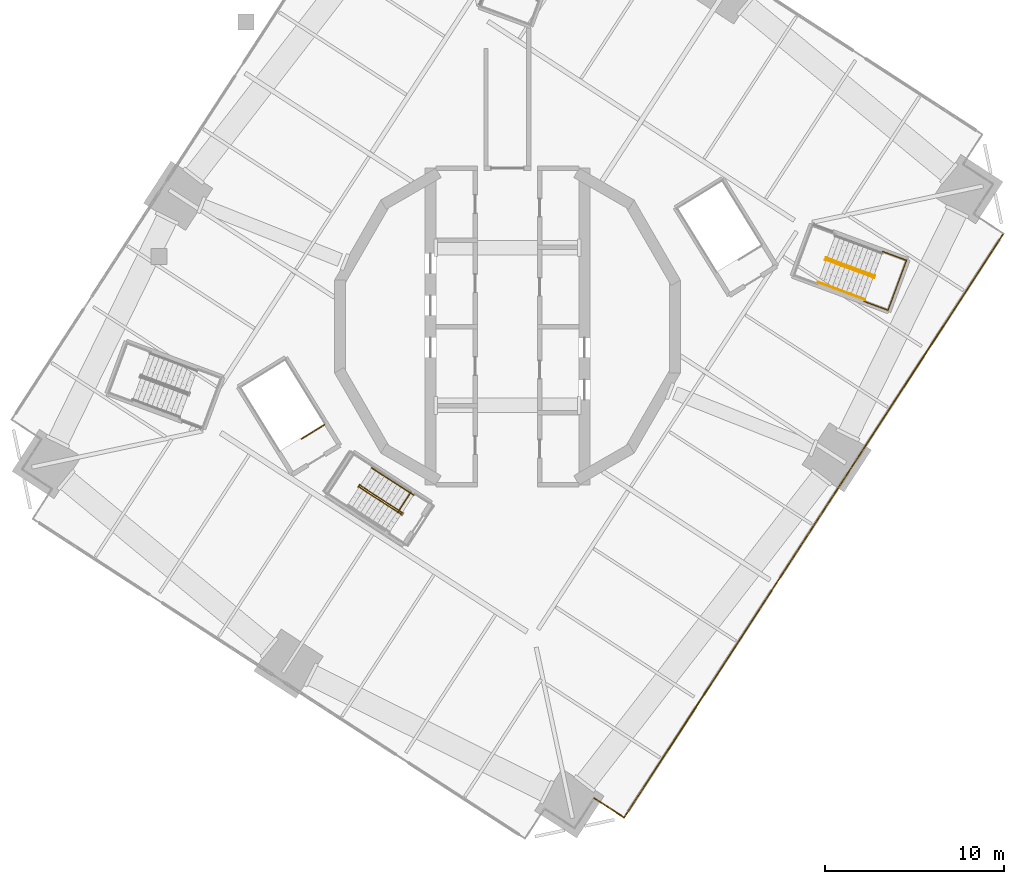
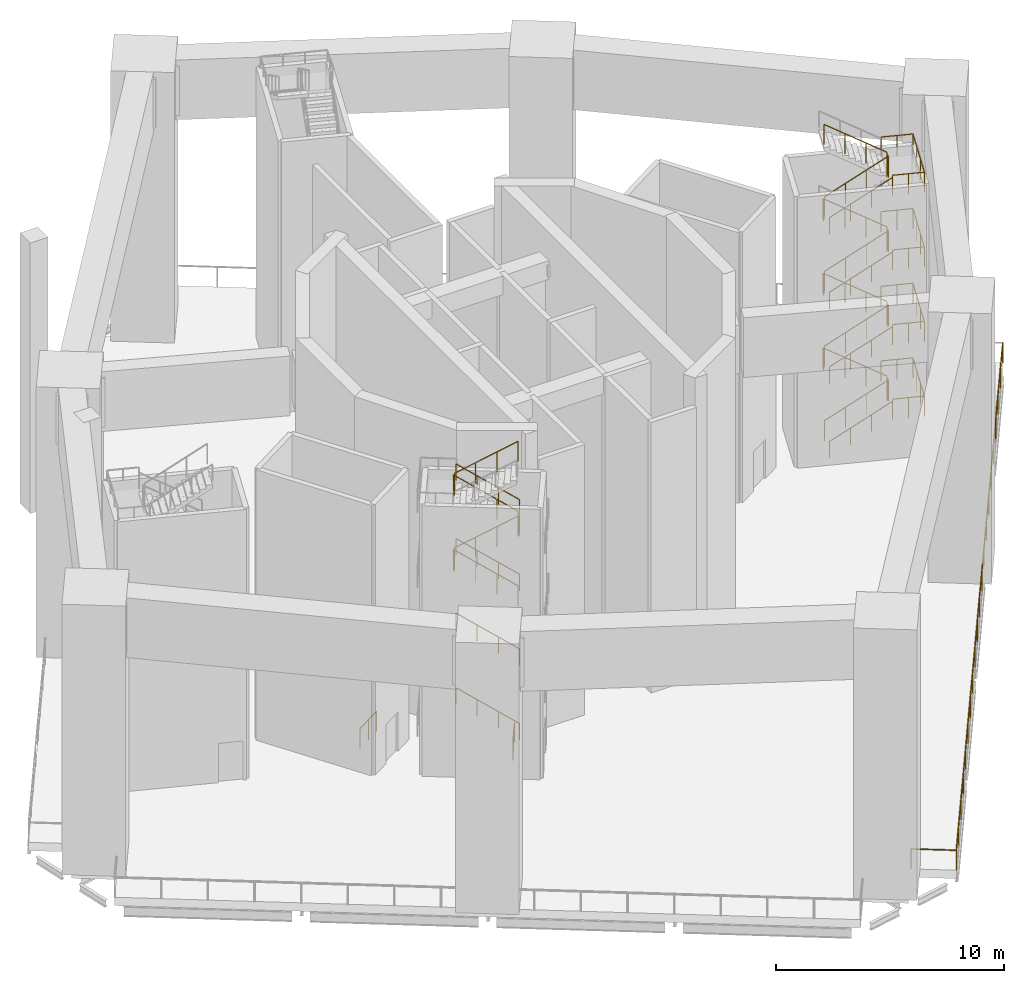
# One storey, part 12 of 16: 29 railings.
"""IFC4 building model written with IfcOpenShell, lengths in metres."""

from ifc_helpers import new_model, si_unit, direction, frame, origin, origin_2d, place, context, subcontext, project, spatial, circle, extrude, material, type_object, element, save


model = new_model("IFC4")

# Units and contexts
model_context = context("Model", 3, precision=1e-05, world=origin(), true_north=direction((0.0, 1.0)))
body_context = subcontext(model_context, "Body", "Model", "MODEL_VIEW")
ifc_project = project(units=[si_unit("LENGTHUNIT", "METRE"), si_unit("AREAUNIT", "SQUARE_METRE"), si_unit("VOLUMEUNIT", "CUBIC_METRE"), si_unit("PLANEANGLEUNIT", "RADIAN"), si_unit("MASSUNIT", "GRAM", prefix="KILO")], contexts=[model_context])

# Site, building, storey
site_placement = place(None, origin())
site = spatial("IfcSite", under=ifc_project, at=site_placement, CompositionType="ELEMENT")
building_placement = place(site_placement, origin())
building = spatial("IfcBuilding", under=site, at=building_placement, Name="Cantera Rosa Tower", CompositionType="ELEMENT")
storey_placement = place(building_placement, frame((0.0, 0.0, 290.10009765625)))
storey = spatial("IfcBuildingStorey", under=building, at=storey_placement, Name="L66", CompositionType="ELEMENT", Elevation=290.10009765625)

# Railings
ifc_material_1 = material(Name="Stainless steel and laminated glass", Category="steel")
railing_type_1 = type_object("IfcRailingType", Name="GUARD 1100", PredefinedType="BALUSTRADE", material=ifc_material_1)
railing_1_placement = place(storey_placement, frame((4.83837890625, -26.33349609375, 0.0)))
element("IfcRailing", 1, at=railing_1_placement, inside=storey, type_object=railing_type_1, Name="PORTAL GUARD L66-17", PredefinedType="BALUSTRADE", context=body_context, shape_type="SweptSolid", body=[
    extrude(circle(Radius=0.030029296875, at=origin_2d()), frame((0.0, 0.0, 1.070068359375), z_axis=(0.838638792855, -0.54468796124, 0.0), x_axis=(0.54468796124, 0.838638792855, 0.0)), (0.0, 0.0, 1.0), 2.0),
    extrude(circle(Radius=0.02490234375, at=origin_2d()), origin(), (0.0, 0.0, 1.0), 1.0400390625),
    extrude(circle(Radius=0.02490234375, at=origin_2d()), frame((1.67724609375, -1.08935546875, 0.0)), (0.0, 0.0, 1.0), 1.0400390625),
])
railing_2_placement = place(storey_placement, frame((6.515625, -27.4228515625, 0.0)))
element("IfcRailing", 2, at=railing_2_placement, inside=storey, type_object=railing_type_1, Name="PORTAL GUARD L66-18", PredefinedType="BALUSTRADE", context=body_context, shape_type="SweptSolid", body=[
    extrude(circle(Radius=0.030029296875, at=origin_2d()), frame((0.0, 0.0, 1.070068359375), z_axis=(0.544637548782, 0.838671533115, 0.0), x_axis=(-0.838671533115, 0.544637548782, 0.0)), (0.0, 0.0, 1.0), 15.56005859375),
    extrude(circle(Radius=0.02490234375, at=origin_2d()), origin(), (0.0, 0.0, 1.0), 1.0400390625),
    extrude(circle(Radius=0.02490234375, at=origin_2d()), frame((1.059326171875, 1.63134765625, 0.0)), (0.0, 0.0, 1.0), 1.0400390625),
    extrude(circle(Radius=0.02490234375, at=origin_2d()), frame((2.11865234375, 3.262451171875, 0.0)), (0.0, 0.0, 1.0), 1.0400390625),
    extrude(circle(Radius=0.02490234375, at=origin_2d()), frame((3.177978515625, 4.8935546875, 0.0)), (0.0, 0.0, 1.0), 1.0400390625),
    extrude(circle(Radius=0.02490234375, at=origin_2d()), frame((4.2373046875, 6.52490234375, 0.0)), (0.0, 0.0, 1.0), 1.0400390625),
    extrude(circle(Radius=0.02490234375, at=origin_2d()), frame((5.296630859375, 8.15625, 0.0)), (0.0, 0.0, 1.0), 1.0400390625),
    extrude(circle(Radius=0.02490234375, at=origin_2d()), frame((6.35595703125, 9.787353515625, 0.0)), (0.0, 0.0, 1.0), 1.0400390625),
    extrude(circle(Radius=0.02490234375, at=origin_2d()), frame((7.415283203125, 11.41845703125, 0.0)), (0.0, 0.0, 1.0), 1.0400390625),
    extrude(circle(Radius=0.02490234375, at=origin_2d()), frame((8.474609375, 13.0498046875, 0.0)), (0.0, 0.0, 1.0), 1.0400390625),
])
railing_3_placement = place(storey_placement, frame((14.990234375, -14.373046875, 0.0)))
element("IfcRailing", 3, at=railing_3_placement, inside=storey, type_object=railing_type_1, Name="PORTAL GUARD L66-19", PredefinedType="BALUSTRADE", context=body_context, shape_type="SweptSolid", body=[
    extrude(circle(Radius=0.030029296875, at=origin_2d()), frame((0.0, 0.0, 1.070068359375), z_axis=(0.544642326705, 0.838668430288, 0.0), x_axis=(-0.838668430288, 0.544642326705, 0.0)), (0.0, 0.0, 1.0), 23.33984375),
    extrude(circle(Radius=0.02490234375, at=origin_2d()), origin(), (0.0, 0.0, 1.0), 1.0400390625),
    extrude(circle(Radius=0.02490234375, at=origin_2d()), frame((1.059326171875, 1.631103515625, 0.0)), (0.0, 0.0, 1.0), 1.0400390625),
    extrude(circle(Radius=0.02490234375, at=origin_2d()), frame((2.11865234375, 3.262451171875, 0.0)), (0.0, 0.0, 1.0), 1.0400390625),
    extrude(circle(Radius=0.02490234375, at=origin_2d()), frame((3.177978515625, 4.8935546875, 0.0)), (0.0, 0.0, 1.0), 1.0400390625),
    extrude(circle(Radius=0.02490234375, at=origin_2d()), frame((4.2373046875, 6.52490234375, 0.0)), (0.0, 0.0, 1.0), 1.0400390625),
    extrude(circle(Radius=0.02490234375, at=origin_2d()), frame((5.296630859375, 8.156005859375, 0.0)), (0.0, 0.0, 1.0), 1.0400390625),
    extrude(circle(Radius=0.02490234375, at=origin_2d()), frame((6.35595703125, 9.787109375, 0.0)), (0.0, 0.0, 1.0), 1.0400390625),
    extrude(circle(Radius=0.02490234375, at=origin_2d()), frame((7.415283203125, 11.41845703125, 0.0)), (0.0, 0.0, 1.0), 1.0400390625),
    extrude(circle(Radius=0.02490234375, at=origin_2d()), frame((8.474609375, 13.049560546875, 0.0)), (0.0, 0.0, 1.0), 1.0400390625),
    extrude(circle(Radius=0.02490234375, at=origin_2d()), frame((9.533935546875, 14.680908203125, 0.0)), (0.0, 0.0, 1.0), 1.0400390625),
    extrude(circle(Radius=0.02490234375, at=origin_2d()), frame((10.59326171875, 16.31201171875, 0.0)), (0.0, 0.0, 1.0), 1.0400390625),
    extrude(circle(Radius=0.02490234375, at=origin_2d()), frame((11.652587890625, 17.943359375, 0.0)), (0.0, 0.0, 1.0), 1.0400390625),
    extrude(circle(Radius=0.02490234375, at=origin_2d()), frame((12.7119140625, 19.574462890625, 0.0)), (0.0, 0.0, 1.0), 1.0400390625),
])
ifc_material_2 = material(Name="Steel S355J2 (EN 10025-2)", Category="steel")
railing_type_2 = type_object("IfcRailingType", Name="STAIR GUARD 1100", PredefinedType="GUARDRAIL", material=ifc_material_2)
railing_4_placement = place(storey_placement, frame((-10.225830078125, -5.486083984375, 0.0)))
element("IfcRailing", 4, at=railing_4_placement, inside=storey, type_object=railing_type_2, Name="L66 ST-52 top well guard 1", PredefinedType="GUARDRAIL", context=body_context, shape_type="SweptSolid", body=[
    extrude(circle(Radius=0.02392578125, at=origin_2d()), frame((0.0, 0.0, 1.076171875), z_axis=(-0.85118298814, -0.524869051004, 0.0), x_axis=(0.524869051004, -0.85118298814, 0.0)), (0.0, 0.0, 1.0), 1.5),
    extrude(circle(Radius=0.02099609375, at=origin_2d()), origin(), (0.0, 0.0, 1.0), 1.052001953125),
    extrude(circle(Radius=0.02099609375, at=origin_2d()), frame((-0.638427734375, -0.3935546875, 0.0)), (0.0, 0.0, 1.0), 1.052001953125),
    extrude(circle(Radius=0.02099609375, at=origin_2d()), frame((-1.27685546875, -0.787353515625, 0.0)), (0.0, 0.0, 1.0), 1.052001953125),
])
railing_5_placement = place(storey_placement, frame((-5.394287109375, -9.25244140625, 0.0)))
element("IfcRailing", 5, at=railing_5_placement, inside=storey, type_object=railing_type_2, Name="L66 ST-53 top well guard 1", PredefinedType="GUARDRAIL", context=body_context, shape_type="SweptSolid", body=[
    extrude(circle(Radius=0.02392578125, at=origin_2d()), frame((0.0, 0.0, 1.076171875), z_axis=(-0.544727693263, -0.838612985943, 0.0), x_axis=(0.838612985943, -0.544727693263, 0.0)), (0.0, 0.0, 1.0), 1.349853515625),
    extrude(circle(Radius=0.02099609375, at=origin_2d()), origin(), (0.0, 0.0, 1.0), 1.052001953125),
    extrude(circle(Radius=0.02099609375, at=origin_2d()), frame((-0.36767578125, -0.56591796875, 0.0)), (0.0, 0.0, 1.0), 1.052001953125),
    extrude(circle(Radius=0.02099609375, at=origin_2d()), frame((-0.7353515625, -1.132080078125, 0.0)), (0.0, 0.0, 1.0), 1.052001953125),
])
railing_6_placement = place(storey_placement, frame((17.802490234375, 3.721923828125, 0.181640625)))
element("IfcRailing", 6, at=railing_6_placement, inside=storey, type_object=railing_type_2, Name="L66 ST-61 stair guard 1", PredefinedType="GUARDRAIL", context=body_context, shape_type="SweptSolid", body=[
    extrude(circle(Radius=0.02392578125, at=origin_2d()), frame((0.0, 0.0, 1.076171875), z_axis=(0.786418468123, -0.291461089162, 0.544606671369), x_axis=(0.347518795507, 0.937673016978, 0.0)), (0.0, 0.0, 1.0), 3.3388671875),
    extrude(circle(Radius=0.02392578125, at=origin_2d()), frame((2.625732421875, -0.97314453125, 2.89453125), z_axis=(0.671593765389, -0.740919573429, 0.0), x_axis=(0.740919573429, 0.671593765389, 0.0)), (0.0, 0.0, 1.0), 0.056396484375),
    extrude(circle(Radius=0.02392578125, at=origin_2d()), frame((2.66357421875, -1.014892578125, 2.89453125), z_axis=(0.346308045122, 0.938120854626, 0.0), x_axis=(-0.938120854626, 0.346308045122, 0.0)), (0.0, 0.0, 1.0), 0.150146484375),
    extrude(circle(Radius=0.02099609375, at=origin_2d()), origin(), (0.0, 0.0, 1.0), 1.052001953125),
    extrude(circle(Radius=0.02099609375, at=origin_2d()), frame((0.875244140625, -0.324462890625, 0.606201171875)), (0.0, 0.0, 1.0), 1.052001953125),
    extrude(circle(Radius=0.02099609375, at=origin_2d()), frame((1.75048828125, -0.648681640625, 1.212158203125)), (0.0, 0.0, 1.0), 1.052001953125),
    extrude(circle(Radius=0.02099609375, at=origin_2d()), frame((2.625732421875, -0.97314453125, 1.818359375)), (0.0, 0.0, 1.0), 1.052001953125),
    extrude(circle(Radius=0.02099609375, at=origin_2d()), frame((2.66357421875, -1.014892578125, 1.818359375)), (0.0, 0.0, 1.0), 1.052001953125),
    extrude(circle(Radius=0.02099609375, at=origin_2d()), frame((2.715576171875, -0.8740234375, 1.818359375)), (0.0, 0.0, 1.0), 1.052001953125),
])
railing_7_placement = place(storey_placement, frame((20.462158203125, 2.8408203125, 2.181640625)))
element("IfcRailing", 7, at=railing_7_placement, inside=storey, type_object=railing_type_2, Name="L66 ST-61 stair guard 2", PredefinedType="GUARDRAIL", context=body_context, shape_type="SweptSolid", body=[
    extrude(circle(Radius=0.02392578125, at=origin_2d()), frame((0.0, 0.0, 1.076171875), z_axis=(-0.78640732652, 0.291410935111, 0.544649597166), x_axis=(-0.347470544015, -0.937690898453, 0.0)), (0.0, 0.0, 1.0), 3.338623046875),
    extrude(circle(Radius=0.02392578125, at=origin_2d()), frame((-2.62548828125, 0.972900390625, 2.89453125), z_axis=(-0.671593765389, 0.740919573429, 0.0), x_axis=(-0.740919573429, -0.671593765389, 0.0)), (0.0, 0.0, 1.0), 0.056396484375),
    extrude(circle(Radius=0.02392578125, at=origin_2d()), frame((-2.663330078125, 1.0146484375, 2.89453125), z_axis=(-0.348268249601, -0.937394914814, 0.0), x_axis=(0.937394914814, -0.348268249601, 0.0)), (0.0, 0.0, 1.0), 0.14990234375),
    extrude(circle(Radius=0.02099609375, at=origin_2d()), origin(), (0.0, 0.0, 1.0), 1.052001953125),
    extrude(circle(Radius=0.02099609375, at=origin_2d()), frame((-0.875244140625, 0.32421875, 0.606201171875)), (0.0, 0.0, 1.0), 1.052001953125),
    extrude(circle(Radius=0.02099609375, at=origin_2d()), frame((-1.750244140625, 0.648681640625, 1.212158203125)), (0.0, 0.0, 1.0), 1.052001953125),
    extrude(circle(Radius=0.02099609375, at=origin_2d()), frame((-2.62548828125, 0.972900390625, 1.818359375)), (0.0, 0.0, 1.0), 1.052001953125),
    extrude(circle(Radius=0.02099609375, at=origin_2d()), frame((-2.663330078125, 1.0146484375, 1.818359375)), (0.0, 0.0, 1.0), 1.052001953125),
    extrude(circle(Radius=0.02099609375, at=origin_2d()), frame((-2.715576171875, 0.8740234375, 1.818359375)), (0.0, 0.0, 1.0), 1.052001953125),
])
railing_8_placement = place(storey_placement, frame((17.802490234375, 3.721923828125, 4.181640625)))
element("IfcRailing", 8, at=railing_8_placement, inside=storey, type_object=railing_type_2, Name="L66 ST-61 stair guard 3", PredefinedType="GUARDRAIL", context=body_context, shape_type="SweptSolid", body=[
    extrude(circle(Radius=0.02392578125, at=origin_2d()), frame((0.0, 0.0, 1.076171875), z_axis=(0.786418468123, -0.291461089162, 0.544606671369), x_axis=(0.347518795507, 0.937673016978, 0.0)), (0.0, 0.0, 1.0), 3.3388671875),
    extrude(circle(Radius=0.02392578125, at=origin_2d()), frame((2.625732421875, -0.97314453125, 2.89453125), z_axis=(0.671593765389, -0.740919573429, 0.0), x_axis=(0.740919573429, 0.671593765389, 0.0)), (0.0, 0.0, 1.0), 0.056396484375),
    extrude(circle(Radius=0.02392578125, at=origin_2d()), frame((2.66357421875, -1.014892578125, 2.89453125), z_axis=(0.346308045122, 0.938120854626, 0.0), x_axis=(-0.938120854626, 0.346308045122, 0.0)), (0.0, 0.0, 1.0), 0.150146484375),
    extrude(circle(Radius=0.02099609375, at=origin_2d()), origin(), (0.0, 0.0, 1.0), 1.052001953125),
    extrude(circle(Radius=0.02099609375, at=origin_2d()), frame((0.875244140625, -0.324462890625, 0.606201171875)), (0.0, 0.0, 1.0), 1.052001953125),
    extrude(circle(Radius=0.02099609375, at=origin_2d()), frame((1.75048828125, -0.648681640625, 1.212158203125)), (0.0, 0.0, 1.0), 1.052001953125),
    extrude(circle(Radius=0.02099609375, at=origin_2d()), frame((2.625732421875, -0.97314453125, 1.818359375)), (0.0, 0.0, 1.0), 1.052001953125),
    extrude(circle(Radius=0.02099609375, at=origin_2d()), frame((2.66357421875, -1.014892578125, 1.818359375)), (0.0, 0.0, 1.0), 1.052001953125),
    extrude(circle(Radius=0.02099609375, at=origin_2d()), frame((2.715576171875, -0.8740234375, 1.818359375)), (0.0, 0.0, 1.0), 1.052001953125),
])
railing_9_placement = place(storey_placement, frame((20.462158203125, 2.8408203125, 6.181640625)))
element("IfcRailing", 9, at=railing_9_placement, inside=storey, type_object=railing_type_2, Name="L66 ST-61 stair guard 4", PredefinedType="GUARDRAIL", context=body_context, shape_type="SweptSolid", body=[
    extrude(circle(Radius=0.02392578125, at=origin_2d()), frame((0.0, 0.0, 1.076171875), z_axis=(-0.78640732652, 0.291410935111, 0.544649597166), x_axis=(-0.347470544015, -0.937690898453, 0.0)), (0.0, 0.0, 1.0), 3.338623046875),
    extrude(circle(Radius=0.02392578125, at=origin_2d()), frame((-2.62548828125, 0.972900390625, 2.89453125), z_axis=(-0.671593765389, 0.740919573429, 0.0), x_axis=(-0.740919573429, -0.671593765389, 0.0)), (0.0, 0.0, 1.0), 0.056396484375),
    extrude(circle(Radius=0.02392578125, at=origin_2d()), frame((-2.663330078125, 1.0146484375, 2.89453125), z_axis=(-0.348268249601, -0.937394914814, 0.0), x_axis=(0.937394914814, -0.348268249601, 0.0)), (0.0, 0.0, 1.0), 0.14990234375),
    extrude(circle(Radius=0.02099609375, at=origin_2d()), origin(), (0.0, 0.0, 1.0), 1.052001953125),
    extrude(circle(Radius=0.02099609375, at=origin_2d()), frame((-0.875244140625, 0.32421875, 0.606201171875)), (0.0, 0.0, 1.0), 1.052001953125),
    extrude(circle(Radius=0.02099609375, at=origin_2d()), frame((-1.750244140625, 0.648681640625, 1.212158203125)), (0.0, 0.0, 1.0), 1.052001953125),
    extrude(circle(Radius=0.02099609375, at=origin_2d()), frame((-2.62548828125, 0.972900390625, 1.818359375)), (0.0, 0.0, 1.0), 1.052001953125),
    extrude(circle(Radius=0.02099609375, at=origin_2d()), frame((-2.663330078125, 1.0146484375, 1.818359375)), (0.0, 0.0, 1.0), 1.052001953125),
    extrude(circle(Radius=0.02099609375, at=origin_2d()), frame((-2.715576171875, 0.8740234375, 1.818359375)), (0.0, 0.0, 1.0), 1.052001953125),
])
railing_10_placement = place(storey_placement, frame((17.802490234375, 3.721923828125, 8.181640625)))
element("IfcRailing", 10, at=railing_10_placement, inside=storey, type_object=railing_type_2, Name="L66 ST-61 stair guard 5", PredefinedType="GUARDRAIL", context=body_context, shape_type="SweptSolid", body=[
    extrude(circle(Radius=0.02392578125, at=origin_2d()), frame((0.0, 0.0, 1.076171875), z_axis=(0.786418468123, -0.291461089162, 0.544606671369), x_axis=(0.347518795507, 0.937673016978, 0.0)), (0.0, 0.0, 1.0), 3.3388671875),
    extrude(circle(Radius=0.02392578125, at=origin_2d()), frame((2.625732421875, -0.97314453125, 2.89453125), z_axis=(0.671593765389, -0.740919573429, 0.0), x_axis=(0.740919573429, 0.671593765389, 0.0)), (0.0, 0.0, 1.0), 0.056396484375),
    extrude(circle(Radius=0.02392578125, at=origin_2d()), frame((2.66357421875, -1.014892578125, 2.89453125), z_axis=(0.346308045122, 0.938120854626, 0.0), x_axis=(-0.938120854626, 0.346308045122, 0.0)), (0.0, 0.0, 1.0), 0.150146484375),
    extrude(circle(Radius=0.02099609375, at=origin_2d()), origin(), (0.0, 0.0, 1.0), 1.052001953125),
    extrude(circle(Radius=0.02099609375, at=origin_2d()), frame((0.875244140625, -0.324462890625, 0.606201171875)), (0.0, 0.0, 1.0), 1.052001953125),
    extrude(circle(Radius=0.02099609375, at=origin_2d()), frame((1.75048828125, -0.648681640625, 1.212158203125)), (0.0, 0.0, 1.0), 1.052001953125),
    extrude(circle(Radius=0.02099609375, at=origin_2d()), frame((2.625732421875, -0.97314453125, 1.818359375)), (0.0, 0.0, 1.0), 1.052001953125),
    extrude(circle(Radius=0.02099609375, at=origin_2d()), frame((2.66357421875, -1.014892578125, 1.818359375)), (0.0, 0.0, 1.0), 1.052001953125),
    extrude(circle(Radius=0.02099609375, at=origin_2d()), frame((2.715576171875, -0.8740234375, 1.818359375)), (0.0, 0.0, 1.0), 1.052001953125),
])
railing_11_placement = place(storey_placement, frame((20.462158203125, 2.8408203125, 10.181640625)))
element("IfcRailing", 11, at=railing_11_placement, inside=storey, type_object=railing_type_2, Name="L66 ST-61 stair guard 6", PredefinedType="GUARDRAIL", context=body_context, shape_type="SweptSolid", body=[
    extrude(circle(Radius=0.02392578125, at=origin_2d()), frame((0.0, 0.0, 1.076171875), z_axis=(-0.78640732652, 0.291410935111, 0.544649597166), x_axis=(-0.347470544015, -0.937690898453, 0.0)), (0.0, 0.0, 1.0), 3.338623046875),
    extrude(circle(Radius=0.02392578125, at=origin_2d()), frame((-2.62548828125, 0.972900390625, 2.89453125), z_axis=(-0.671593765389, 0.740919573429, 0.0), x_axis=(-0.740919573429, -0.671593765389, 0.0)), (0.0, 0.0, 1.0), 0.056396484375),
    extrude(circle(Radius=0.02392578125, at=origin_2d()), frame((-2.663330078125, 1.0146484375, 2.89453125), z_axis=(-0.348268249601, -0.937394914814, 0.0), x_axis=(0.937394914814, -0.348268249601, 0.0)), (0.0, 0.0, 1.0), 0.14990234375),
    extrude(circle(Radius=0.02099609375, at=origin_2d()), origin(), (0.0, 0.0, 1.0), 1.052001953125),
    extrude(circle(Radius=0.02099609375, at=origin_2d()), frame((-0.875244140625, 0.32421875, 0.606201171875)), (0.0, 0.0, 1.0), 1.052001953125),
    extrude(circle(Radius=0.02099609375, at=origin_2d()), frame((-1.750244140625, 0.648681640625, 1.212158203125)), (0.0, 0.0, 1.0), 1.052001953125),
    extrude(circle(Radius=0.02099609375, at=origin_2d()), frame((-2.62548828125, 0.972900390625, 1.818359375)), (0.0, 0.0, 1.0), 1.052001953125),
    extrude(circle(Radius=0.02099609375, at=origin_2d()), frame((-2.663330078125, 1.0146484375, 1.818359375)), (0.0, 0.0, 1.0), 1.052001953125),
    extrude(circle(Radius=0.02099609375, at=origin_2d()), frame((-2.715576171875, 0.8740234375, 1.818359375)), (0.0, 0.0, 1.0), 1.052001953125),
])
railing_12_placement = place(storey_placement, frame((17.802490234375, 3.721923828125, 12.181640625)))
element("IfcRailing", 12, at=railing_12_placement, inside=storey, type_object=railing_type_2, Name="L66 ST-61 stair guard 7", PredefinedType="GUARDRAIL", context=body_context, shape_type="SweptSolid", body=[
    extrude(circle(Radius=0.02392578125, at=origin_2d()), frame((0.0, 0.0, 1.076171875), z_axis=(0.786418468123, -0.291461089162, 0.544606671369), x_axis=(0.347518795507, 0.937673016978, 0.0)), (0.0, 0.0, 1.0), 3.3388671875),
    extrude(circle(Radius=0.02392578125, at=origin_2d()), frame((2.625732421875, -0.97314453125, 2.89453125), z_axis=(0.671593765389, -0.740919573429, 0.0), x_axis=(0.740919573429, 0.671593765389, 0.0)), (0.0, 0.0, 1.0), 0.056396484375),
    extrude(circle(Radius=0.02392578125, at=origin_2d()), frame((2.66357421875, -1.014892578125, 2.89453125), z_axis=(0.346308045122, 0.938120854626, 0.0), x_axis=(-0.938120854626, 0.346308045122, 0.0)), (0.0, 0.0, 1.0), 0.150146484375),
    extrude(circle(Radius=0.02099609375, at=origin_2d()), origin(), (0.0, 0.0, 1.0), 1.052001953125),
    extrude(circle(Radius=0.02099609375, at=origin_2d()), frame((0.875244140625, -0.324462890625, 0.606201171875)), (0.0, 0.0, 1.0), 1.052001953125),
    extrude(circle(Radius=0.02099609375, at=origin_2d()), frame((1.75048828125, -0.648681640625, 1.212158203125)), (0.0, 0.0, 1.0), 1.052001953125),
    extrude(circle(Radius=0.02099609375, at=origin_2d()), frame((2.625732421875, -0.97314453125, 1.818359375)), (0.0, 0.0, 1.0), 1.052001953125),
    extrude(circle(Radius=0.02099609375, at=origin_2d()), frame((2.66357421875, -1.014892578125, 1.818359375)), (0.0, 0.0, 1.0), 1.052001953125),
    extrude(circle(Radius=0.02099609375, at=origin_2d()), frame((2.715576171875, -0.8740234375, 1.818359375)), (0.0, 0.0, 1.0), 1.052001953125),
])
railing_13_placement = place(storey_placement, frame((20.462158203125, 2.8408203125, 14.181640625)))
element("IfcRailing", 13, at=railing_13_placement, inside=storey, type_object=railing_type_2, Name="L66 ST-61 stair guard 8", PredefinedType="GUARDRAIL", context=body_context, shape_type="SweptSolid", body=[
    extrude(circle(Radius=0.02392578125, at=origin_2d()), frame((0.0, 0.0, 1.076171875), z_axis=(-0.78640732652, 0.291410935111, 0.544649597166), x_axis=(-0.347470544015, -0.937690898453, 0.0)), (0.0, 0.0, 1.0), 3.338623046875),
    extrude(circle(Radius=0.02099609375, at=origin_2d()), origin(), (0.0, 0.0, 1.0), 1.052001953125),
    extrude(circle(Radius=0.02099609375, at=origin_2d()), frame((-0.875244140625, 0.32421875, 0.606201171875)), (0.0, 0.0, 1.0), 1.052001953125),
    extrude(circle(Radius=0.02099609375, at=origin_2d()), frame((-1.750244140625, 0.648681640625, 1.212158203125)), (0.0, 0.0, 1.0), 1.052001953125),
    extrude(circle(Radius=0.02099609375, at=origin_2d()), frame((-2.62548828125, 0.972900390625, 1.818359375)), (0.0, 0.0, 1.0), 1.052001953125),
])
for number, where, name in (
    (14, (19.91796875, 1.406494140625, 2.0), "L66 ST-61 stair guard 10"),
    (15, (19.91796875, 1.406494140625, 6.0), "L66 ST-61 stair guard 12"),
    (16, (19.91796875, 1.406494140625, 10.0), "L66 ST-61 stair guard 14"),
    (17, (19.91796875, 1.406494140625, 14.0), "L66 ST-61 stair guard 16"),
):
    element("IfcRailing", number, at=place(storey_placement, frame(where)), inside=storey, type_object=railing_type_2, Name=name, PredefinedType="GUARDRAIL", context=body_context, shape_type="SweptSolid", body=[
        extrude(circle(Radius=0.02392578125, at=origin_2d()), frame((0.0, 0.0, 1.076171875), z_axis=(0.937670030811, -0.347526852657, 0.0), x_axis=(0.347526852657, 0.937670030811, 0.0)), (0.0, 0.0, 1.0), 1.421875),
        extrude(circle(Radius=0.02392578125, at=origin_2d()), frame((1.333251953125, -0.494140625, 1.076171875), z_axis=(0.347472311651, 0.937690243436, 0.0), x_axis=(-0.937690243436, 0.347472311651, 0.0)), (0.0, 0.0, 1.0), 2.969970703125),
        extrude(circle(Radius=0.02392578125, at=origin_2d()), frame((2.365234375, 2.290771484375, 1.076171875), z_axis=(-0.937670030811, 0.347526852657, 0.0), x_axis=(-0.347526852657, -0.937670030811, 0.0)), (0.0, 0.0, 1.0), 1.421875),
        extrude(circle(Radius=0.02099609375, at=origin_2d()), origin(), (0.0, 0.0, 1.0), 1.052001953125),
        extrude(circle(Radius=0.02099609375, at=origin_2d()), frame((0.66650390625, -0.2470703125, 0.0)), (0.0, 0.0, 1.0), 1.052001953125),
        extrude(circle(Radius=0.02099609375, at=origin_2d()), frame((1.333251953125, -0.494140625, 0.0)), (0.0, 0.0, 1.0), 1.052001953125),
        extrude(circle(Radius=0.02099609375, at=origin_2d()), frame((1.67724609375, 0.43408203125, 0.0)), (0.0, 0.0, 1.0), 1.052001953125),
        extrude(circle(Radius=0.02099609375, at=origin_2d()), frame((2.021240234375, 1.362548828125, 0.0)), (0.0, 0.0, 1.0), 1.052001953125),
        extrude(circle(Radius=0.02099609375, at=origin_2d()), frame((2.365234375, 2.290771484375, 0.0)), (0.0, 0.0, 1.0), 1.052001953125),
        extrude(circle(Radius=0.02099609375, at=origin_2d()), frame((1.69873046875, 2.537841796875, 0.0)), (0.0, 0.0, 1.0), 1.052001953125),
        extrude(circle(Radius=0.02099609375, at=origin_2d()), frame((1.031982421875, 2.784912109375, 0.0)), (0.0, 0.0, 1.0), 1.052001953125),
    ])
railing_14_placement = place(storey_placement, frame((-5.873291015625, -10.403076171875, 8.181640625)))
element("IfcRailing", 18, at=railing_14_placement, inside=storey, type_object=railing_type_2, Name="L66 ST-64 stair guard 5", PredefinedType="GUARDRAIL", context=body_context, shape_type="SweptSolid", body=[
    extrude(circle(Radius=0.02392578125, at=origin_2d()), frame((0.0, 0.0, 1.076171875), z_axis=(-0.703391421225, 0.456740078695, 0.544636584394), x_axis=(-0.544599070782, -0.838696519668, 0.0)), (0.0, 0.0, 1.0), 3.338623046875),
    extrude(circle(Radius=0.02392578125, at=origin_2d()), frame((-2.348388671875, 1.52490234375, 2.89453125), z_axis=(-0.493340105608, 0.869836501993, 0.0), x_axis=(-0.869836501993, -0.493340105608, 0.0)), (0.0, 0.0, 1.0), 0.056396484375),
    extrude(circle(Radius=0.02392578125, at=origin_2d()), frame((-2.376220703125, 1.573974609375, 2.89453125), z_axis=(-0.544129121324, -0.839001489467, 0.0), x_axis=(0.839001489467, -0.544129121324, 0.0)), (0.0, 0.0, 1.0), 0.14990234375),
    extrude(circle(Radius=0.02099609375, at=origin_2d()), origin(), (0.0, 0.0, 1.0), 1.052001953125),
    extrude(circle(Radius=0.02099609375, at=origin_2d()), frame((-0.78271484375, 0.50830078125, 0.606201171875)), (0.0, 0.0, 1.0), 1.052001953125),
    extrude(circle(Radius=0.02099609375, at=origin_2d()), frame((-1.565673828125, 1.0166015625, 1.212158203125)), (0.0, 0.0, 1.0), 1.052001953125),
    extrude(circle(Radius=0.02099609375, at=origin_2d()), frame((-2.348388671875, 1.52490234375, 1.818359375)), (0.0, 0.0, 1.0), 1.052001953125),
    extrude(circle(Radius=0.02099609375, at=origin_2d()), frame((-2.376220703125, 1.573974609375, 1.818359375)), (0.0, 0.0, 1.0), 1.052001953125),
    extrude(circle(Radius=0.02099609375, at=origin_2d()), frame((-2.457763671875, 1.4482421875, 1.818359375)), (0.0, 0.0, 1.0), 1.052001953125),
])
railing_15_placement = place(storey_placement, frame((-8.275146484375, -8.960205078125, 10.181640625)))
element("IfcRailing", 19, at=railing_15_placement, inside=storey, type_object=railing_type_2, Name="L66 ST-64 stair guard 6", PredefinedType="GUARDRAIL", context=body_context, shape_type="SweptSolid", body=[
    extrude(circle(Radius=0.02392578125, at=origin_2d()), frame((0.0, 0.0, 1.076171875), z_axis=(0.7033679278, -0.456797946249, 0.544618393414), x_axis=(0.544660398056, 0.838656694237, 0.0)), (0.0, 0.0, 1.0), 3.3388671875),
    extrude(circle(Radius=0.02392578125, at=origin_2d()), frame((2.348388671875, -1.525146484375, 2.89453125), z_axis=(0.493340105608, -0.869836501993, 0.0), x_axis=(0.869836501993, 0.493340105608, 0.0)), (0.0, 0.0, 1.0), 0.056396484375),
    extrude(circle(Radius=0.02392578125, at=origin_2d()), frame((2.376220703125, -1.57421875, 2.89453125), z_axis=(0.543386185195, 0.839482848984, 0.0), x_axis=(-0.839482848984, 0.543386185195, 0.0)), (0.0, 0.0, 1.0), 0.150146484375),
    extrude(circle(Radius=0.02099609375, at=origin_2d()), origin(), (0.0, 0.0, 1.0), 1.052001953125),
    extrude(circle(Radius=0.02099609375, at=origin_2d()), frame((0.78271484375, -0.50830078125, 0.606201171875)), (0.0, 0.0, 1.0), 1.052001953125),
    extrude(circle(Radius=0.02099609375, at=origin_2d()), frame((1.565673828125, -1.016845703125, 1.212158203125)), (0.0, 0.0, 1.0), 1.052001953125),
    extrude(circle(Radius=0.02099609375, at=origin_2d()), frame((2.348388671875, -1.525146484375, 1.818359375)), (0.0, 0.0, 1.0), 1.052001953125),
    extrude(circle(Radius=0.02099609375, at=origin_2d()), frame((2.376220703125, -1.57421875, 1.818359375)), (0.0, 0.0, 1.0), 1.052001953125),
    extrude(circle(Radius=0.02099609375, at=origin_2d()), frame((2.457763671875, -1.4482421875, 1.818359375)), (0.0, 0.0, 1.0), 1.052001953125),
])
railing_16_placement = place(storey_placement, frame((-5.873291015625, -10.403076171875, 12.181640625)))
element("IfcRailing", 20, at=railing_16_placement, inside=storey, type_object=railing_type_2, Name="L66 ST-64 stair guard 7", PredefinedType="GUARDRAIL", context=body_context, shape_type="SweptSolid", body=[
    extrude(circle(Radius=0.02392578125, at=origin_2d()), frame((0.0, 0.0, 1.076171875), z_axis=(-0.703391421225, 0.456740078695, 0.544636584394), x_axis=(-0.544599070782, -0.838696519668, 0.0)), (0.0, 0.0, 1.0), 3.338623046875),
    extrude(circle(Radius=0.02392578125, at=origin_2d()), frame((-2.348388671875, 1.52490234375, 2.89453125), z_axis=(-0.493340105608, 0.869836501993, 0.0), x_axis=(-0.869836501993, -0.493340105608, 0.0)), (0.0, 0.0, 1.0), 0.056396484375),
    extrude(circle(Radius=0.02392578125, at=origin_2d()), frame((-2.376220703125, 1.573974609375, 2.89453125), z_axis=(-0.544129121324, -0.839001489467, 0.0), x_axis=(0.839001489467, -0.544129121324, 0.0)), (0.0, 0.0, 1.0), 0.14990234375),
    extrude(circle(Radius=0.02099609375, at=origin_2d()), origin(), (0.0, 0.0, 1.0), 1.052001953125),
    extrude(circle(Radius=0.02099609375, at=origin_2d()), frame((-0.78271484375, 0.50830078125, 0.606201171875)), (0.0, 0.0, 1.0), 1.052001953125),
    extrude(circle(Radius=0.02099609375, at=origin_2d()), frame((-1.565673828125, 1.0166015625, 1.212158203125)), (0.0, 0.0, 1.0), 1.052001953125),
    extrude(circle(Radius=0.02099609375, at=origin_2d()), frame((-2.348388671875, 1.52490234375, 1.818359375)), (0.0, 0.0, 1.0), 1.052001953125),
    extrude(circle(Radius=0.02099609375, at=origin_2d()), frame((-2.376220703125, 1.573974609375, 1.818359375)), (0.0, 0.0, 1.0), 1.052001953125),
    extrude(circle(Radius=0.02099609375, at=origin_2d()), frame((-2.457763671875, 1.4482421875, 1.818359375)), (0.0, 0.0, 1.0), 1.052001953125),
])
railing_17_placement = place(storey_placement, frame((-8.275146484375, -8.960205078125, 14.181640625)))
element("IfcRailing", 21, at=railing_17_placement, inside=storey, type_object=railing_type_2, Name="L66 ST-64 stair guard 8", PredefinedType="GUARDRAIL", context=body_context, shape_type="SweptSolid", body=[
    extrude(circle(Radius=0.02392578125, at=origin_2d()), frame((0.0, 0.0, 1.076171875), z_axis=(0.7033679278, -0.456797946249, 0.544618393414), x_axis=(0.544660398056, 0.838656694237, 0.0)), (0.0, 0.0, 1.0), 3.3388671875),
    extrude(circle(Radius=0.02099609375, at=origin_2d()), origin(), (0.0, 0.0, 1.0), 1.052001953125),
    extrude(circle(Radius=0.02099609375, at=origin_2d()), frame((0.78271484375, -0.50830078125, 0.606201171875)), (0.0, 0.0, 1.0), 1.052001953125),
    extrude(circle(Radius=0.02099609375, at=origin_2d()), frame((1.565673828125, -1.016845703125, 1.212158203125)), (0.0, 0.0, 1.0), 1.052001953125),
    extrude(circle(Radius=0.02099609375, at=origin_2d()), frame((2.348388671875, -1.525146484375, 1.818359375)), (0.0, 0.0, 1.0), 1.052001953125),
])
ifc_material_3 = material(Name="Steel S355J2 (EN 10025-2)", Category="steel")
railing_type_3 = type_object("IfcRailingType", Name="STAIR HANDRAIL 900", PredefinedType="HANDRAIL", material=ifc_material_3)
for number, where, name in (
    (22, (17.341796875, 2.478515625, 0.181640625), "L66 ST-61 stair handrail 1"),
    (23, (17.341796875, 2.478515625, 4.181640625), "L66 ST-61 stair handrail 3"),
    (24, (17.341796875, 2.478515625, 8.181640625), "L66 ST-61 stair handrail 5"),
    (25, (17.341796875, 2.478515625, 12.181640625), "L66 ST-61 stair handrail 7"),
):
    element("IfcRailing", number, at=place(storey_placement, frame(where)), inside=storey, type_object=railing_type_3, Name=name, PredefinedType="HANDRAIL", context=body_context, shape_type="SweptSolid", body=[
        extrude(circle(Radius=0.02392578125, at=origin_2d()), frame((0.0, 0.0, 0.8759765625), z_axis=(0.78640732652, -0.291410935111, 0.544649597166), x_axis=(0.347470544015, 0.937690898453, 0.0)), (0.0, 0.0, 1.0), 3.338623046875),
        extrude(circle(Radius=0.02099609375, at=origin_2d()), origin(), (0.0, 0.0, 1.0), 0.851806640625),
        extrude(circle(Radius=0.02099609375, at=origin_2d()), frame((0.875244140625, -0.32421875, 0.606201171875)), (0.0, 0.0, 1.0), 0.851806640625),
        extrude(circle(Radius=0.02099609375, at=origin_2d()), frame((1.750244140625, -0.648681640625, 1.212158203125)), (0.0, 0.0, 1.0), 0.851806640625),
        extrude(circle(Radius=0.02099609375, at=origin_2d()), frame((2.62548828125, -0.972900390625, 1.818359375)), (0.0, 0.0, 1.0), 0.851806640625),
    ])
for number, where, name in (
    (26, (-5.23291015625, -9.416748046875, 0.181640625), "L66 ST-64 stair handrail 1"),
    (27, (-5.23291015625, -9.416748046875, 4.181640625), "L66 ST-64 stair handrail 3"),
    (28, (-5.23291015625, -9.416748046875, 8.181640625), "L66 ST-64 stair handrail 5"),
    (29, (-5.23291015625, -9.416748046875, 12.181640625), "L66 ST-64 stair handrail 7"),
):
    element("IfcRailing", number, at=place(storey_placement, frame(where)), inside=storey, type_object=railing_type_3, Name=name, PredefinedType="HANDRAIL", context=body_context, shape_type="SweptSolid", body=[
        extrude(circle(Radius=0.02392578125, at=origin_2d()), frame((0.0, 0.0, 0.8759765625), z_axis=(-0.703354472555, 0.456763572008, 0.544664598834), x_axis=(-0.54463889816, -0.83867065682, 0.0)), (0.0, 0.0, 1.0), 3.33837890625),
        extrude(circle(Radius=0.02099609375, at=origin_2d()), origin(), (0.0, 0.0, 1.0), 0.851806640625),
        extrude(circle(Radius=0.02099609375, at=origin_2d()), frame((-0.78271484375, 0.50830078125, 0.606201171875)), (0.0, 0.0, 1.0), 0.851806640625),
        extrude(circle(Radius=0.02099609375, at=origin_2d()), frame((-1.5654296875, 1.0166015625, 1.212158203125)), (0.0, 0.0, 1.0), 0.851806640625),
        extrude(circle(Radius=0.02099609375, at=origin_2d()), frame((-2.34814453125, 1.52490234375, 1.818359375)), (0.0, 0.0, 1.0), 0.851806640625),
    ])

save(model, "model.ifc")
